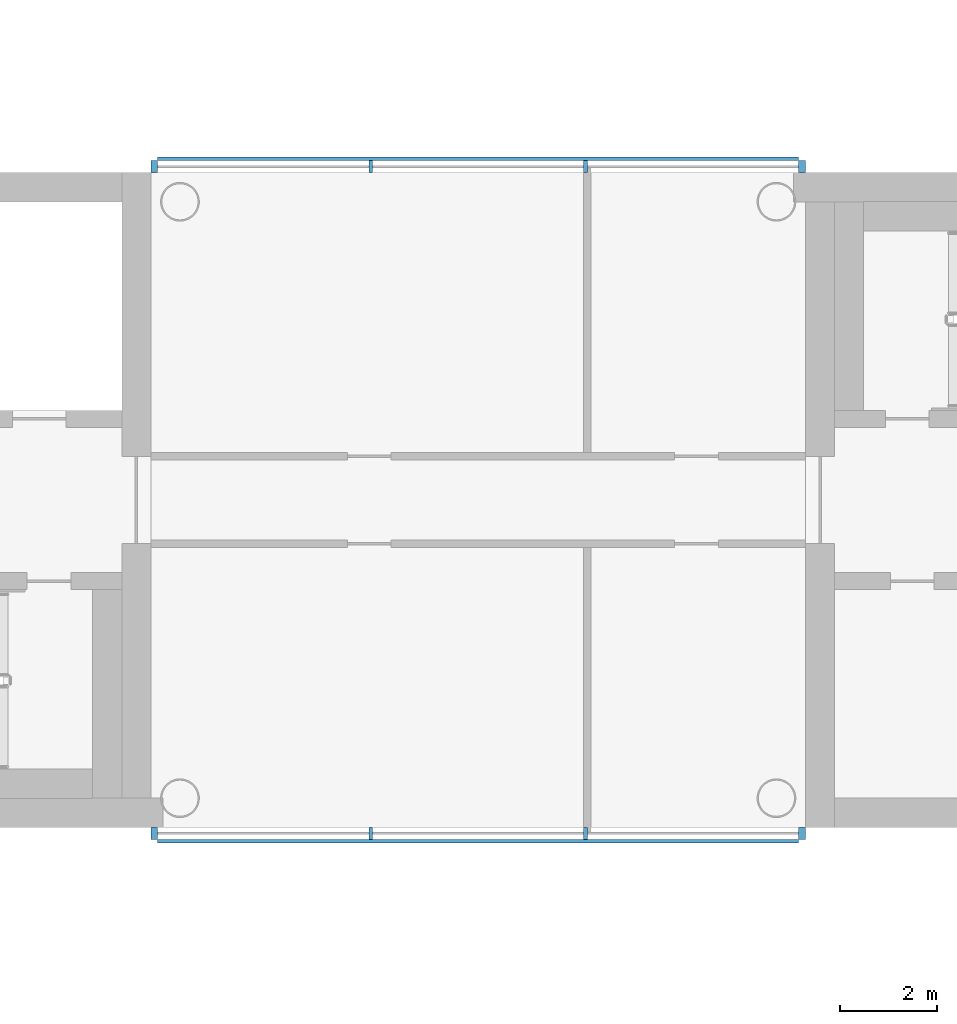
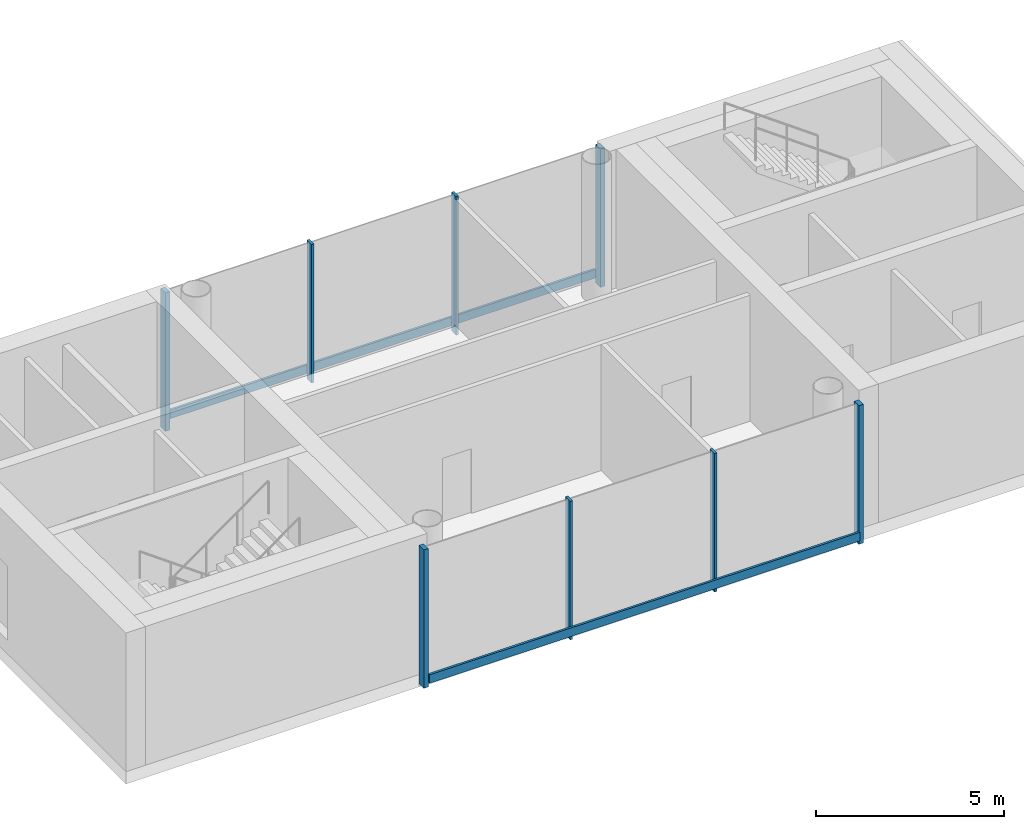
# One storey, part 2 of 12: 10 members, 2 elements without a shape of their own.
"""IFC4 building model written with IfcOpenShell, lengths in metres."""

from ifc_helpers import new_model, si_unit, direction, frame, origin, origin_2d, place, context, subcontext, project, spatial, rectangle, extrude, material, layer, layer_set, material_profile, profile_set, type_object, element, aggregate, save


model = new_model("IFC4")

# Units and contexts
model_context = context("Model", 3, precision=1e-05, world=origin(), true_north=direction((0.0, 1.0)))
body_context = subcontext(model_context, "Body", "Model", "MODEL_VIEW")
ifc_project = project(units=[si_unit("LENGTHUNIT", "METRE"), si_unit("AREAUNIT", "SQUARE_METRE"), si_unit("VOLUMEUNIT", "CUBIC_METRE"), si_unit("PLANEANGLEUNIT", "RADIAN"), si_unit("MASSUNIT", "GRAM", prefix="KILO")], contexts=[model_context])

# Site, building, storey
site_placement = place(None, origin())
site = spatial("IfcSite", under=ifc_project, at=site_placement, CompositionType="ELEMENT")
building_placement = place(site_placement, origin())
building = spatial("IfcBuilding", under=site, at=building_placement, Name="Ipe Terrace Towers", CompositionType="ELEMENT")
storey_placement = place(building_placement, frame((0.0, 0.0, 260.39990234375)))
storey = spatial("IfcBuildingStorey", under=building, at=storey_placement, Name="L71", CompositionType="ELEMENT", Elevation=260.39990234375)

# Curtain wall, members
ifc_material_1 = material(Name="Aluminium alloy 6063-T6", Category="aluminium")
ifc_layer = layer(ifc_material_1, 0.320068359375)
ifc_layer_set = layer_set([ifc_layer], Name="LANTERN CURTAIN WALL")
curtain_wall_type = type_object("IfcCurtainWallType", Name="LANTERN CURTAIN WALL", PredefinedType="NOTDEFINED", material=ifc_layer_set)
curtain_wall_1_placement = place(storey_placement, origin())
curtain_wall_1 = element("IfcCurtainWall", 1, at=curtain_wall_1_placement, inside=storey, type_object=curtain_wall_type, Name="T1-CW-L71-00b curtain wall", PredefinedType="NOTDEFINED")
ifc_material_2 = material(Name="Aluminium alloy 6063-T6", Category="aluminium")
ifc_material_profile_1 = material_profile(ifc_material_2, rectangle(XDim=0.25, YDim=0.139892578125, at=origin_2d()), Name="LANTERN CORNER MULLION 250 x 140")
ifc_profile_set_1 = profile_set([ifc_material_profile_1], Name="Aluminium alloy 6063-T6")
member_type_1 = type_object("IfcMemberType", Name="LANTERN CORNER MULLION 250 x 140", PredefinedType="MULLION", material=ifc_profile_set_1)
member_1_placement = place(storey_placement, frame((-42.678955078125, -6.875, -0.2998046875), z_axis=(0.0, 0.0, 1.0), x_axis=(0.0, -1.0, 0.0)))
member_1 = element("IfcMember", 2, at=member_1_placement, type_object=member_type_1, Name="T1-CW-L71-00b mullion 1", PredefinedType="MULLION", context=body_context, shape_type="SweptSolid", body=[
    extrude(rectangle(XDim=0.25, YDim=0.139892578125, at=origin_2d()), origin(), (0.0, 0.0, 1.0), 4.5),
])
member_2_placement = place(storey_placement, frame((-29.321044921875, -6.875, -0.2998046875), z_axis=(0.0, 0.0, 1.0), x_axis=(0.0, -1.0, 0.0)))
member_2 = element("IfcMember", 3, at=member_2_placement, type_object=member_type_1, Name="T1-CW-L71-00b mullion 4", PredefinedType="MULLION", context=body_context, shape_type="SweptSolid", body=[
    extrude(rectangle(XDim=0.25, YDim=0.139892578125, at=origin_2d()), origin(), (0.0, 0.0, 1.0), 4.5),
])

curtain_wall_2_placement = place(storey_placement, origin())
curtain_wall_2 = element("IfcCurtainWall", 4, at=curtain_wall_2_placement, inside=storey, type_object=curtain_wall_type, Name="T1-CW-L71-02b curtain wall", PredefinedType="NOTDEFINED")
member_3_placement = place(storey_placement, frame((-29.321044921875, 6.875, -0.2998046875), z_axis=(0.0, 0.0, 1.0), x_axis=(0.0, 1.0, 0.0)))
member_3 = element("IfcMember", 5, at=member_3_placement, type_object=member_type_1, Name="T1-CW-L71-02b mullion 1", PredefinedType="MULLION", context=body_context, shape_type="SweptSolid", body=[
    extrude(rectangle(XDim=0.25, YDim=0.139892578125, at=origin_2d()), origin(), (0.0, 0.0, 1.0), 4.5),
])
member_4_placement = place(storey_placement, frame((-42.678955078125, 6.875, -0.2998046875), z_axis=(0.0, 0.0, 1.0), x_axis=(0.0, 1.0, 0.0)))
member_4 = element("IfcMember", 6, at=member_4_placement, type_object=member_type_1, Name="T1-CW-L71-02b mullion 4", PredefinedType="MULLION", context=body_context, shape_type="SweptSolid", body=[
    extrude(rectangle(XDim=0.25, YDim=0.139892578125, at=origin_2d()), origin(), (0.0, 0.0, 1.0), 4.5),
])

# Member
ifc_material_3 = material(Name="Aluminium alloy 6063-T6", Category="aluminium")
ifc_material_profile_2 = material_profile(ifc_material_3, rectangle(XDim=0.25, YDim=0.080078125, at=origin_2d()), Name="LANTERN MULLION 250 x 80")
ifc_profile_set_2 = profile_set([ifc_material_profile_2], Name="Aluminium alloy 6063-T6")
member_type_2 = type_object("IfcMemberType", Name="LANTERN MULLION 250 x 80", PredefinedType="MULLION", material=ifc_profile_set_2)
member_5_placement = place(storey_placement, frame((-38.21630859375, -6.875, -0.2998046875), z_axis=(0.0, 0.0, 1.0), x_axis=(0.0, -1.0, 0.0)))
member_5 = element("IfcMember", 7, at=member_5_placement, type_object=member_type_2, Name="T1-CW-L71-00b mullion 2", PredefinedType="MULLION", context=body_context, shape_type="SweptSolid", body=[
    extrude(rectangle(XDim=0.25, YDim=0.080078125, at=origin_2d()), origin(), (0.0, 0.0, 1.0), 4.5),
])

member_6_placement = place(storey_placement, frame((-33.78369140625, -6.875, -0.2998046875), z_axis=(0.0, 0.0, 1.0), x_axis=(0.0, -1.0, 0.0)))
member_6 = element("IfcMember", 8, at=member_6_placement, type_object=member_type_2, Name="T1-CW-L71-00b mullion 3", PredefinedType="MULLION", context=body_context, shape_type="SweptSolid", body=[
    extrude(rectangle(XDim=0.25, YDim=0.080078125, at=origin_2d()), origin(), (0.0, 0.0, 1.0), 4.5),
])

member_7_placement = place(storey_placement, frame((-33.78369140625, 6.875, -0.2998046875), z_axis=(0.0, 0.0, 1.0), x_axis=(0.0, 1.0, 0.0)))
member_7 = element("IfcMember", 9, at=member_7_placement, type_object=member_type_2, Name="T1-CW-L71-02b mullion 2", PredefinedType="MULLION", context=body_context, shape_type="SweptSolid", body=[
    extrude(rectangle(XDim=0.25, YDim=0.080078125, at=origin_2d()), origin(), (0.0, 0.0, 1.0), 4.5),
])

member_8_placement = place(storey_placement, frame((-38.21630859375, 6.875, -0.2998046875), z_axis=(0.0, 0.0, 1.0), x_axis=(0.0, 1.0, 0.0)))
member_8 = element("IfcMember", 10, at=member_8_placement, type_object=member_type_2, Name="T1-CW-L71-02b mullion 3", PredefinedType="MULLION", context=body_context, shape_type="SweptSolid", body=[
    extrude(rectangle(XDim=0.25, YDim=0.080078125, at=origin_2d()), origin(), (0.0, 0.0, 1.0), 4.5),
])

ifc_material_4 = material(Name="Aluminium alloy 6063-T6", Category="aluminium")
ifc_material_profile_3 = material_profile(ifc_material_4, rectangle(XDim=0.070068359375, YDim=0.280029296875, at=origin_2d()), Name="LANTERN TRANSOM 70 x 280")
ifc_profile_set_3 = profile_set([ifc_material_profile_3], Name="Aluminium alloy 6063-T6")
member_type_3 = type_object("IfcMemberType", Name="LANTERN TRANSOM 70 x 280", PredefinedType="USERDEFINED", material=ifc_profile_set_3)
member_9_placement = place(storey_placement, frame((-42.60888671875, -7.034912109375, 0.0), z_axis=(1.0, 0.0, 0.0), x_axis=(0.0, -1.0, 0.0)))
member_9 = element("IfcMember", 11, at=member_9_placement, type_object=member_type_3, Name="T1-CW-L71-00b transom", ObjectType="TRANSOM", PredefinedType="USERDEFINED", context=body_context, shape_type="SweptSolid", body=[
    extrude(rectangle(XDim=0.070068359375, YDim=0.280029296875, at=origin_2d()), origin(), (0.0, 0.0, 1.0), 13.2177734375),
])

aggregate(curtain_wall_1, [member_1, member_5, member_6, member_2, member_9])

member_10_placement = place(storey_placement, frame((-29.39111328125, 7.034912109375, 0.0), z_axis=(-1.0, 0.0, 0.0), x_axis=(0.0, 1.0, 0.0)))
member_10 = element("IfcMember", 12, at=member_10_placement, type_object=member_type_3, Name="T1-CW-L71-02b transom", ObjectType="TRANSOM", PredefinedType="USERDEFINED", context=body_context, shape_type="SweptSolid", body=[
    extrude(rectangle(XDim=0.070068359375, YDim=0.280029296875, at=origin_2d()), origin(), (0.0, 0.0, 1.0), 13.2177734375),
])

aggregate(curtain_wall_2, [member_3, member_7, member_8, member_4, member_10])

save(model, "model.ifc")
